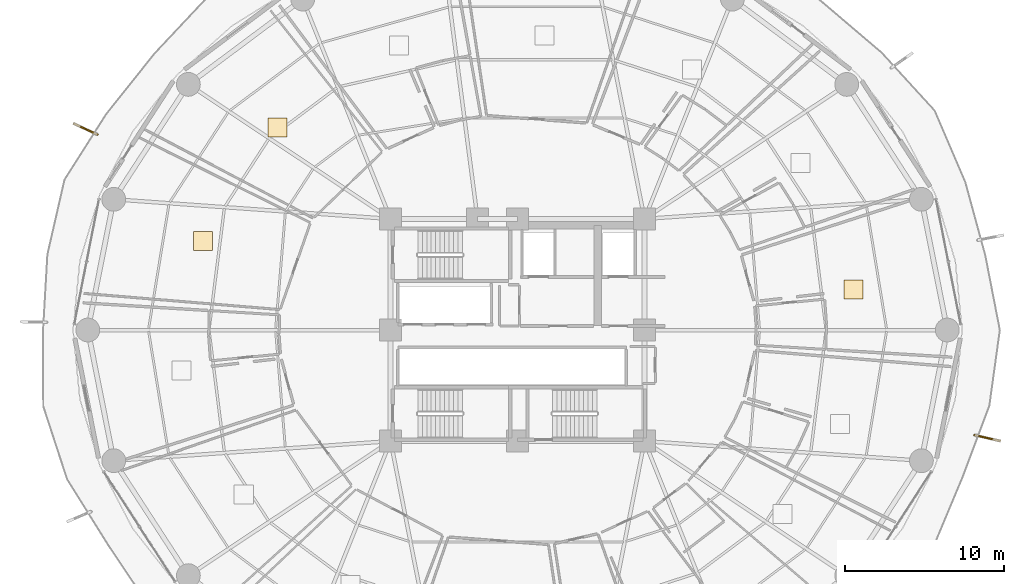
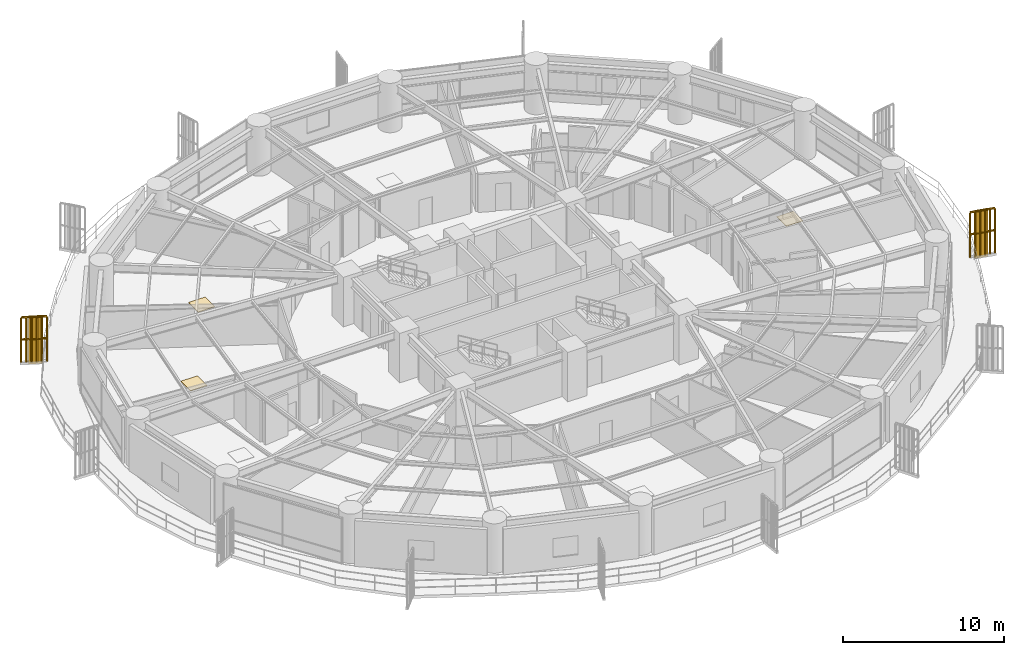
# One storey, part 29 of 31: 3 coverings, 2 railings, 2 shading devices.
"""IFC4 building model written with IfcOpenShell, lengths in metres."""

from ifc_helpers import new_model, si_unit, direction, frame, origin, origin_2d, place, context, subcontext, project, spatial, polyline, rectangle, outline, extrude, source, transform, mapped, material, layer, layer_set, type_object, element, save


model = new_model("IFC4")

# Units and contexts
model_context = context("Model", 3, precision=1e-05, world=origin(), true_north=direction((0.0, 1.0)))
body_context = subcontext(model_context, "Body", "Model", "MODEL_VIEW")
ifc_project = project(units=[si_unit("LENGTHUNIT", "METRE"), si_unit("AREAUNIT", "SQUARE_METRE"), si_unit("VOLUMEUNIT", "CUBIC_METRE"), si_unit("PLANEANGLEUNIT", "RADIAN"), si_unit("MASSUNIT", "GRAM", prefix="KILO")], contexts=[model_context])

# Site, building, storey
site_placement = place(None, origin())
site = spatial("IfcSite", under=ifc_project, at=site_placement, CompositionType="ELEMENT")
building_placement = place(site_placement, origin())
building = spatial("IfcBuilding", under=site, at=building_placement, Name="Kelanora Arch Commons", CompositionType="ELEMENT")
storey_placement = place(building_placement, frame((0.0, 0.0, 63.75)))
storey = spatial("IfcBuildingStorey", under=building, at=storey_placement, Name="L16", CompositionType="ELEMENT", Elevation=63.75)

# Railings
ifc_material_1 = material(Name="Anodised bronze vertical shading fin rib assembly")
railing_type = type_object("IfcRailingType", Name="RAIL-FIN-BRZ", PredefinedType="BALUSTRADE", material=ifc_material_1)
railing_1_placement = place(storey_placement, frame((47.5166015625, 70.320068359375, -0.02001953125)))
element("IfcRailing", 1, at=railing_1_placement, inside=storey, type_object=railing_type, Name="Sweeping Bronze Vertical Fin Blade L16-05", PredefinedType="BALUSTRADE", context=body_context, shape_type="SweptSolid", body=[
    extrude(outline(polyline([(0.06982421875, 0.0), (0.034912109375, 0.060546875), (-0.034912109375, 0.060546875), (-0.06982421875, 0.0), (-0.034912109375, -0.060546875), (0.034912109375, -0.060546875), (0.06982421875, 0.0)])), frame((0.0, 0.0, 3.419921875), z_axis=(-0.906660702134, 0.42186060637, 0.0), x_axis=(-0.42186060637, -0.906660702134, 0.0)), (0.0, 0.0, 1.0), 1.617431640625),
    extrude(outline(polyline([(0.06982421875, 0.0), (0.034912109375, 0.060546875), (-0.034912109375, 0.060546875), (-0.06982421875, 0.0), (-0.034912109375, -0.060546875), (0.034912109375, -0.060546875), (0.06982421875, 0.0)])), frame((0.0, 0.0, 1.7451171875), z_axis=(-0.906660702134, 0.42186060637, 0.0), x_axis=(-0.42186060637, -0.906660702134, 0.0)), (0.0, 0.0, 1.0), 1.617431640625),
    extrude(outline(polyline([(0.080078125, 0.0), (0.0400390625, 0.0693359375), (-0.0400390625, 0.0693359375), (-0.080078125, 0.0), (-0.0400390625, -0.0693359375), (0.0400390625, -0.0693359375), (0.080078125, 0.0)])), origin(), (0.0, 0.0, 1.0), 3.35009765625),
    extrude(outline(polyline([(0.080078125, 0.0), (0.0400390625, 0.0693359375), (-0.0400390625, 0.0693359375), (-0.080078125, 0.0), (-0.0400390625, -0.0693359375), (0.0400390625, -0.0693359375), (0.080078125, 0.0)])), frame((-0.293212890625, 0.136474609375, 0.0)), (0.0, 0.0, 1.0), 3.35009765625),
    extrude(outline(polyline([(0.080078125, 0.0), (0.0400390625, 0.0693359375), (-0.0400390625, 0.0693359375), (-0.080078125, 0.0), (-0.0400390625, -0.0693359375), (0.0400390625, -0.0693359375), (0.080078125, 0.0)])), frame((-0.586669921875, 0.27294921875, 0.0)), (0.0, 0.0, 1.0), 3.35009765625),
    extrude(outline(polyline([(0.080078125, 0.0), (0.0400390625, 0.0693359375), (-0.0400390625, 0.0693359375), (-0.080078125, 0.0), (-0.0400390625, -0.0693359375), (0.0400390625, -0.0693359375), (0.080078125, 0.0)])), frame((-0.8798828125, 0.409423828125, 0.0)), (0.0, 0.0, 1.0), 3.35009765625),
    extrude(outline(polyline([(0.080078125, 0.0), (0.0400390625, 0.0693359375), (-0.0400390625, 0.0693359375), (-0.080078125, 0.0), (-0.0400390625, -0.0693359375), (0.0400390625, -0.0693359375), (0.080078125, 0.0)])), frame((-1.17333984375, 0.5458984375, 0.0)), (0.0, 0.0, 1.0), 3.35009765625),
    extrude(outline(polyline([(0.080078125, 0.0), (0.0400390625, 0.0693359375), (-0.0400390625, 0.0693359375), (-0.080078125, 0.0), (-0.0400390625, -0.0693359375), (0.0400390625, -0.0693359375), (0.080078125, 0.0)])), frame((-1.466552734375, 0.682373046875, 0.0)), (0.0, 0.0, 1.0), 3.35009765625),
])
railing_2_placement = place(storey_placement, frame((102.800537109375, 51.37841796875, -0.02001953125)))
element("IfcRailing", 2, at=railing_2_placement, inside=storey, type_object=railing_type, Name="Sweeping Bronze Vertical Fin Blade L16-13", PredefinedType="BALUSTRADE", context=body_context, shape_type="SweptSolid", body=[
    extrude(outline(polyline([(0.06982421875, 0.0), (0.034912109375, 0.060546875), (-0.034912109375, 0.060546875), (-0.06982421875, 0.0), (-0.034912109375, -0.060546875), (0.034912109375, -0.060546875), (0.06982421875, 0.0)])), frame((0.0, 0.0, 3.419921875), z_axis=(0.974584197233, -0.224021522412, 0.0), x_axis=(0.224021522412, 0.974584197233, 0.0)), (0.0, 0.0, 1.0), 1.6171875),
    extrude(outline(polyline([(0.06982421875, 0.0), (0.034912109375, 0.060546875), (-0.034912109375, 0.060546875), (-0.06982421875, 0.0), (-0.034912109375, -0.060546875), (0.034912109375, -0.060546875), (0.06982421875, 0.0)])), frame((0.0, 0.0, 1.7451171875), z_axis=(0.974584197233, -0.224021522412, 0.0), x_axis=(0.224021522412, 0.974584197233, 0.0)), (0.0, 0.0, 1.0), 1.6171875),
    extrude(outline(polyline([(0.080078125, 0.0), (0.0400390625, 0.0693359375), (-0.0400390625, 0.0693359375), (-0.080078125, 0.0), (-0.0400390625, -0.0693359375), (0.0400390625, -0.0693359375), (0.080078125, 0.0)])), origin(), (0.0, 0.0, 1.0), 3.35009765625),
    extrude(outline(polyline([(0.080078125, 0.0), (0.0400390625, 0.0693359375), (-0.0400390625, 0.0693359375), (-0.080078125, 0.0), (-0.0400390625, -0.0693359375), (0.0400390625, -0.0693359375), (0.080078125, 0.0)])), frame((0.315185546875, -0.072509765625, 0.0)), (0.0, 0.0, 1.0), 3.35009765625),
    extrude(outline(polyline([(0.080078125, 0.0), (0.0400390625, 0.0693359375), (-0.0400390625, 0.0693359375), (-0.080078125, 0.0), (-0.0400390625, -0.0693359375), (0.0400390625, -0.0693359375), (0.080078125, 0.0)])), frame((0.63037109375, -0.14501953125, 0.0)), (0.0, 0.0, 1.0), 3.35009765625),
    extrude(outline(polyline([(0.080078125, 0.0), (0.0400390625, 0.0693359375), (-0.0400390625, 0.0693359375), (-0.080078125, 0.0), (-0.0400390625, -0.0693359375), (0.0400390625, -0.0693359375), (0.080078125, 0.0)])), frame((0.94580078125, -0.21728515625, 0.0)), (0.0, 0.0, 1.0), 3.35009765625),
    extrude(outline(polyline([(0.080078125, 0.0), (0.0400390625, 0.0693359375), (-0.0400390625, 0.0693359375), (-0.080078125, 0.0), (-0.0400390625, -0.0693359375), (0.0400390625, -0.0693359375), (0.080078125, 0.0)])), frame((1.260986328125, -0.289794921875, 0.0)), (0.0, 0.0, 1.0), 3.35009765625),
    extrude(outline(polyline([(0.080078125, 0.0), (0.0400390625, 0.0693359375), (-0.0400390625, 0.0693359375), (-0.080078125, 0.0), (-0.0400390625, -0.0693359375), (0.0400390625, -0.0693359375), (0.080078125, 0.0)])), frame((1.576171875, -0.3623046875, 0.0)), (0.0, 0.0, 1.0), 3.35009765625),
])

# Shading devices
ifc_material_2 = material(Name="Terracotta ceramic-clad extruded aluminium fin", Category="masonry")
shading_device_type = type_object("IfcShadingDeviceType", Name="SHD-FIN-FLARE", PredefinedType="USERDEFINED", material=ifc_material_2)
shared_shape_1 = source(origin(), body_context, "Body", "SweptSolid", [
    extrude(rectangle(XDim=0.8798828125, YDim=0.090087890625, at=origin_2d()), origin(), (0.0, 0.0, 1.0), 3.610107421875),
])
for number, where, z_axis, x_axis, name in (
    (3, (46.864013671875, 70.623779296875, -0.14013671875), (0.0, 0.0, 1.0), (-0.906676245901, 0.421827198174, 0.0), "Sweeping Terracotta Fin L16-05"),
    (4, (103.502197265625, 51.217041015625, -0.14013671875), (0.0, 0.0, 1.0), (0.974566000575, -0.224100670509, 0.0), "Sweeping Terracotta Fin L16-13"),
):
    element("IfcShadingDevice", number, at=place(storey_placement, frame(where, z_axis=z_axis, x_axis=x_axis)), inside=storey, type_object=shading_device_type, Name=name, ObjectType="FIN", PredefinedType="USERDEFINED", context=body_context, shape_type="MappedRepresentation", body=[
        mapped(shared_shape_1, transform((0.0, 0.0, 0.0), scale=1.0)),
    ])

# Coverings
ifc_material_3 = material(Name="Polished local granite terrazzo flooring", Category="masonry")
ifc_layer = layer(ifc_material_3, 0.030029296875)
ifc_layer_set = layer_set([ifc_layer], Name="Polished local granite terrazzo flooring")
covering_type = type_object("IfcCoveringType", Name="COV-FLR-TER", PredefinedType="FLOORING", material=ifc_layer_set)
shared_shape_2 = source(origin(), body_context, "Body", "SweptSolid", [
    extrude(rectangle(XDim=1.199951171875, YDim=1.199951171875, at=origin_2d()), origin(), (0.0, 0.0, 1.0), 0.030029296875),
])
for number, where, z_axis, x_axis, name in (
    (5, (58.874755859375, 70.771728515625, 0.0), (0.0, 0.0, 1.0), (1.0, 0.0, 0.0), "Quiet Seminar Study Room L16-05 Terrazzo Finish"),
    (6, (54.191162109375, 63.62353515625, 0.0), (0.0, 0.0, 1.0), (1.0, 0.0, 0.0), "Social Sky Lounge L16-06 Terrazzo Finish"),
    (7, (95.17041015625, 60.547607421875, 0.0), (0.0, 0.0, 1.0), (1.0, 0.0, 0.0), "Co-Living Studio L16-14 Terrazzo Finish"),
):
    element("IfcCovering", number, at=place(storey_placement, frame(where, z_axis=z_axis, x_axis=x_axis)), inside=storey, type_object=covering_type, Name=name, PredefinedType="FLOORING", context=body_context, shape_type="MappedRepresentation", body=[
        mapped(shared_shape_2, transform((0.0, 0.0, 0.0), scale=1.0)),
    ])

save(model, "model.ifc")
